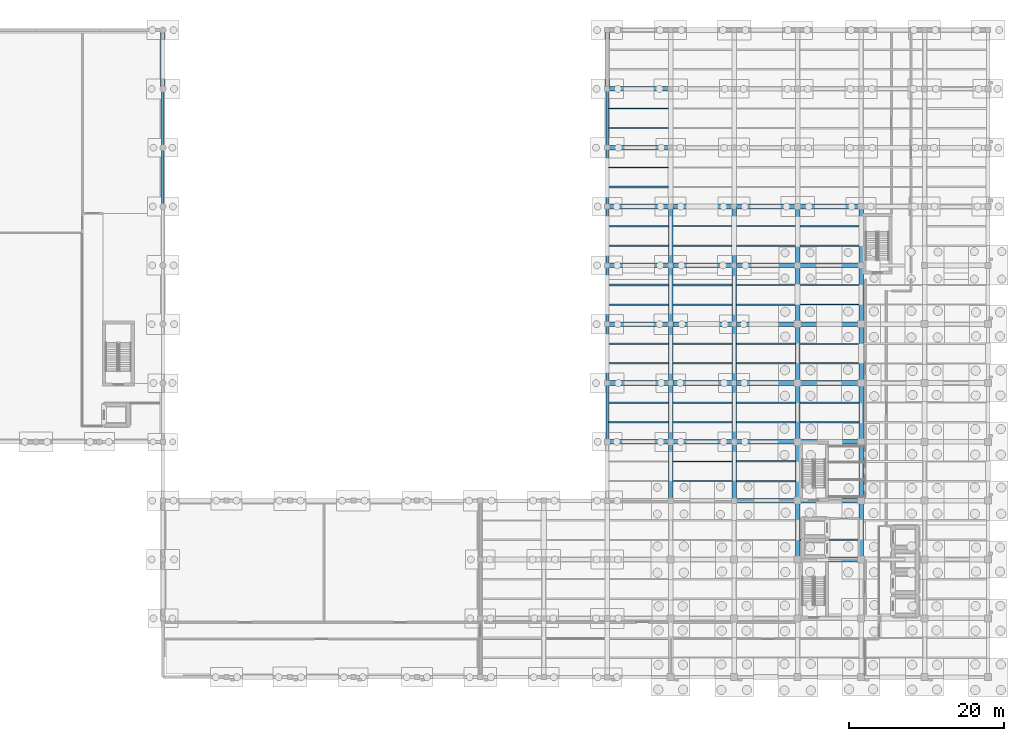
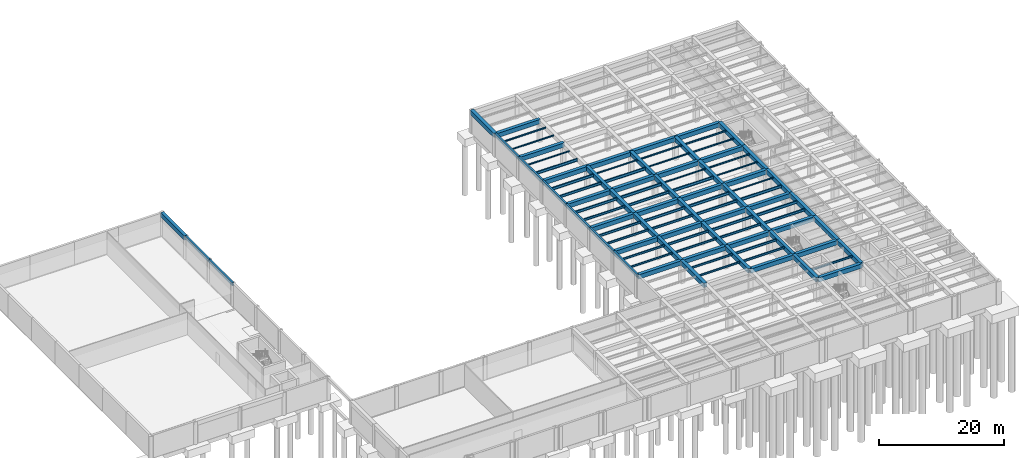
# One storey, part 13 of 29: 98 beams.
"""IFC4 building model written with IfcOpenShell, lengths in metres."""

from ifc_helpers import new_model, si_unit, direction, frame, origin, origin_2d, place, context, subcontext, project, spatial, rectangle, i_section, extrude, material, material_profile, profile_set, type_object, element, save


model = new_model("IFC4")

# Units and contexts
model_context = context("Model", 3, precision=1e-05, world=origin(), true_north=direction((0.0, 1.0)))
body_context = subcontext(model_context, "Body", "Model", "MODEL_VIEW")
ifc_project = project(units=[si_unit("LENGTHUNIT", "METRE"), si_unit("AREAUNIT", "SQUARE_METRE"), si_unit("VOLUMEUNIT", "CUBIC_METRE"), si_unit("PLANEANGLEUNIT", "RADIAN"), si_unit("MASSUNIT", "GRAM", prefix="KILO")], contexts=[model_context])

# Site, building, storey
site_placement = place(None, origin())
site = spatial("IfcSite", under=ifc_project, at=site_placement, CompositionType="ELEMENT")
building_placement = place(site_placement, origin())
building = spatial("IfcBuilding", under=site, at=building_placement, Name="Qandaris Square Conservatory and Botanical Centre", CompositionType="ELEMENT")
storey_placement = place(building_placement, frame((0.0, 0.0, -4.800048828125)))
storey = spatial("IfcBuildingStorey", under=building, at=storey_placement, Name="B1", CompositionType="ELEMENT", Elevation=-4.800048828125)

# Beams
ifc_material_1 = material(Name="Steel S355", Category="steel")
ifc_material_profile_1 = material_profile(ifc_material_1, i_section(OverallWidth=0.18994140625, OverallDepth=0.449951171875, WebThickness=0.009521484375, FlangeThickness=0.0146484375, FilletRadius=0.02099609375, at=origin_2d()), Name="IPE 450")
ifc_profile_set_1 = profile_set([ifc_material_profile_1], Name="Steel S355")
beam_type_1 = type_object("IfcBeamType", Name="Composite Archive Joist IPE 450", PredefinedType="JOIST", material=ifc_profile_set_1)
for number, where, z_axis, x_axis, name in (
    (1, (114.77490234375, 59.666748046875, 4.22509765625), (1.0, 0.0, 0.0), (0.0, 1.0, 0.0), "B1 Composite Joist 0208"),
    (2, (114.77490234375, 64.7333984375, 4.22509765625), (1.0, 0.0, 0.0), (0.0, 1.0, 0.0), "B1 Composite Joist 0209"),
):
    element("IfcBeam", number, at=place(storey_placement, frame(where, z_axis=z_axis, x_axis=x_axis)), inside=storey, type_object=beam_type_1, Name=name, PredefinedType="JOIST", context=body_context, shape_type="SweptSolid", body=[
        extrude(i_section(OverallWidth=0.18994140625, OverallDepth=0.449951171875, WebThickness=0.009521484375, FlangeThickness=0.0146484375, FilletRadius=0.02099609375, at=origin_2d()), origin(), (0.0, 0.0, 1.0), 7.72509765625),
    ])
for number, where, z_axis, x_axis, name in (
    (3, (123.10009765625, 52.066650390625, 4.22509765625), (1.0, 0.0, 0.0), (0.0, 1.0, 0.0), "B1 Composite Joist 0228"),
    (4, (123.10009765625, 57.13330078125, 4.22509765625), (1.0, 0.0, 0.0), (0.0, 1.0, 0.0), "B1 Composite Joist 0229"),
    (5, (131.300048828125, 44.466796875, 4.22509765625), (1.0, 0.0, 0.0), (0.0, 1.0, 0.0), "B1 Composite Joist 0248"),
    (6, (131.300048828125, 49.533203125, 4.22509765625), (1.0, 0.0, 0.0), (0.0, 1.0, 0.0), "B1 Composite Joist 0249"),
):
    element("IfcBeam", number, at=place(storey_placement, frame(where, z_axis=z_axis, x_axis=x_axis)), inside=storey, type_object=beam_type_1, Name=name, PredefinedType="JOIST", context=body_context, shape_type="SweptSolid", body=[
        extrude(i_section(OverallWidth=0.18994140625, OverallDepth=0.449951171875, WebThickness=0.009521484375, FlangeThickness=0.0146484375, FilletRadius=0.02099609375, at=origin_2d()), origin(), (0.0, 0.0, 1.0), 7.599853515625),
    ])
ifc_material_profile_2 = material_profile(ifc_material_1, i_section(OverallWidth=0.199951171875, OverallDepth=0.5, WebThickness=0.01025390625, FlangeThickness=0.01611328125, FilletRadius=0.02099609375, at=origin_2d()), Name="IPE 500")
ifc_profile_set_2 = profile_set([ifc_material_profile_2], Name="Steel S355")
beam_type_2 = type_object("IfcBeamType", Name="Composite Gallery Joist IPE 500", PredefinedType="JOIST", material=ifc_profile_set_2)
for number, where, z_axis, x_axis, name in (
    (7, (114.77490234375, 67.2666015625, 4.199951171875), (1.0, 0.0, 0.0), (0.0, 1.0, 0.0), "B1 Composite Joist 0210"),
    (8, (114.77490234375, 72.333251953125, 4.199951171875), (1.0, 0.0, 0.0), (0.0, 1.0, 0.0), "B1 Composite Joist 0211"),
):
    element("IfcBeam", number, at=place(storey_placement, frame(where, z_axis=z_axis, x_axis=x_axis)), inside=storey, type_object=beam_type_2, Name=name, PredefinedType="JOIST", context=body_context, shape_type="SweptSolid", body=[
        extrude(i_section(OverallWidth=0.199951171875, OverallDepth=0.5, WebThickness=0.01025390625, FlangeThickness=0.01611328125, FilletRadius=0.02099609375, at=origin_2d()), origin(), (0.0, 0.0, 1.0), 7.72509765625),
    ])
for number, where, z_axis, x_axis, name in (
    (9, (123.10009765625, 59.666748046875, 4.199951171875), (1.0, 0.0, 0.0), (0.0, 1.0, 0.0), "B1 Composite Joist 0230"),
    (10, (123.10009765625, 64.7333984375, 4.199951171875), (1.0, 0.0, 0.0), (0.0, 1.0, 0.0), "B1 Composite Joist 0231"),
    (11, (131.300048828125, 52.066650390625, 4.199951171875), (1.0, 0.0, 0.0), (0.0, 1.0, 0.0), "B1 Composite Joist 0250"),
    (12, (131.300048828125, 57.13330078125, 4.199951171875), (1.0, 0.0, 0.0), (0.0, 1.0, 0.0), "B1 Composite Joist 0251"),
):
    element("IfcBeam", number, at=place(storey_placement, frame(where, z_axis=z_axis, x_axis=x_axis)), inside=storey, type_object=beam_type_2, Name=name, PredefinedType="JOIST", context=body_context, shape_type="SweptSolid", body=[
        extrude(i_section(OverallWidth=0.199951171875, OverallDepth=0.5, WebThickness=0.01025390625, FlangeThickness=0.01611328125, FilletRadius=0.02099609375, at=origin_2d()), origin(), (0.0, 0.0, 1.0), 7.599853515625),
    ])
beam_1_placement = place(storey_placement, frame((139.5, 49.533203125, 4.199951171875), z_axis=(1.0, 0.0, 0.0), x_axis=(0.0, 1.0, 0.0)))
element("IfcBeam", 13, at=beam_1_placement, inside=storey, type_object=beam_type_2, Name="B1 Composite Joist 0266", PredefinedType="JOIST", context=body_context, shape_type="SweptSolid", body=[
    extrude(i_section(OverallWidth=0.199951171875, OverallDepth=0.5, WebThickness=0.01025390625, FlangeThickness=0.01611328125, FilletRadius=0.02099609375, at=origin_2d()), origin(), (0.0, 0.0, 1.0), 7.60009765625),
])
ifc_material_profile_3 = material_profile(ifc_material_1, i_section(OverallWidth=0.14990234375, OverallDepth=0.300048828125, WebThickness=0.007080078125, FlangeThickness=0.0107421875, FilletRadius=0.014892578125, at=origin_2d()), Name="IPE 300")
ifc_profile_set_3 = profile_set([ifc_material_profile_3], Name="Steel S355")
beam_type_3 = type_object("IfcBeamType", Name="Composite Lab Joist IPE 300", PredefinedType="JOIST", material=ifc_profile_set_3)
beam_2_placement = place(storey_placement, frame((114.77490234375, 90.066650390625, 4.300048828125), z_axis=(1.0, 0.0, 0.0), x_axis=(0.0, 1.0, 0.0)))
element("IfcBeam", 14, at=beam_2_placement, inside=storey, type_object=beam_type_3, Name="B1 Composite Joist 0216", PredefinedType="JOIST", context=body_context, shape_type="SweptSolid", body=[
    extrude(i_section(OverallWidth=0.14990234375, OverallDepth=0.300048828125, WebThickness=0.007080078125, FlangeThickness=0.0107421875, FilletRadius=0.014892578125, at=origin_2d()), origin(), (0.0, 0.0, 1.0), 7.72509765625),
])
beam_3_placement = place(storey_placement, frame((131.300048828125, 74.86669921875, 4.300048828125), z_axis=(1.0, 0.0, 0.0), x_axis=(0.0, 1.0, 0.0)))
element("IfcBeam", 15, at=beam_3_placement, inside=storey, type_object=beam_type_3, Name="B1 Composite Joist 0256", PredefinedType="JOIST", context=body_context, shape_type="SweptSolid", body=[
    extrude(i_section(OverallWidth=0.14990234375, OverallDepth=0.300048828125, WebThickness=0.007080078125, FlangeThickness=0.0107421875, FilletRadius=0.014892578125, at=origin_2d()), origin(), (0.0, 0.0, 1.0), 7.599853515625),
])
for number, where, z_axis, x_axis, name in (
    (16, (139.5, 67.2666015625, 4.300048828125), (1.0, 0.0, 0.0), (0.0, 1.0, 0.0), "B1 Composite Joist 0271"),
    (17, (139.5, 72.333251953125, 4.300048828125), (1.0, 0.0, 0.0), (0.0, 1.0, 0.0), "B1 Composite Joist 0272"),
):
    element("IfcBeam", number, at=place(storey_placement, frame(where, z_axis=z_axis, x_axis=x_axis)), inside=storey, type_object=beam_type_3, Name=name, PredefinedType="JOIST", context=body_context, shape_type="SweptSolid", body=[
        extrude(i_section(OverallWidth=0.14990234375, OverallDepth=0.300048828125, WebThickness=0.007080078125, FlangeThickness=0.0107421875, FilletRadius=0.014892578125, at=origin_2d()), origin(), (0.0, 0.0, 1.0), 7.60009765625),
    ])
ifc_material_profile_4 = material_profile(ifc_material_1, i_section(OverallWidth=0.159912109375, OverallDepth=0.330078125, WebThickness=0.007568359375, FlangeThickness=0.011474609375, FilletRadius=0.01806640625, at=origin_2d()), Name="IPE 330")
ifc_profile_set_4 = profile_set([ifc_material_profile_4], Name="Steel S355")
beam_type_4 = type_object("IfcBeamType", Name="Composite Lab Joist IPE 330", PredefinedType="JOIST", material=ifc_profile_set_4)
beam_4_placement = place(storey_placement, frame((139.5, 74.86669921875, 4.28515625), z_axis=(1.0, 0.0, 0.0), x_axis=(0.0, 1.0, 0.0)))
element("IfcBeam", 18, at=beam_4_placement, inside=storey, type_object=beam_type_4, Name="B1 Composite Joist 0273", PredefinedType="JOIST", context=body_context, shape_type="SweptSolid", body=[
    extrude(i_section(OverallWidth=0.159912109375, OverallDepth=0.330078125, WebThickness=0.007568359375, FlangeThickness=0.011474609375, FilletRadius=0.01806640625, at=origin_2d()), origin(), (0.0, 0.0, 1.0), 7.60009765625),
])
ifc_material_profile_5 = material_profile(ifc_material_1, i_section(OverallWidth=0.169921875, OverallDepth=0.360107421875, WebThickness=0.008056640625, FlangeThickness=0.0126953125, FilletRadius=0.01806640625, at=origin_2d()), Name="IPE 360")
ifc_profile_set_5 = profile_set([ifc_material_profile_5], Name="Steel S355")
beam_type_5 = type_object("IfcBeamType", Name="Composite Lab Joist IPE 360", PredefinedType="JOIST", material=ifc_profile_set_5)
beam_5_placement = place(storey_placement, frame((114.77490234375, 49.533203125, 4.27001953125), z_axis=(1.0, 0.0, 0.0), x_axis=(0.0, 1.0, 0.0)))
element("IfcBeam", 19, at=beam_5_placement, inside=storey, type_object=beam_type_5, Name="B1 Composite Joist 0205", PredefinedType="JOIST", context=body_context, shape_type="SweptSolid", body=[
    extrude(i_section(OverallWidth=0.169921875, OverallDepth=0.360107421875, WebThickness=0.008056640625, FlangeThickness=0.0126953125, FilletRadius=0.01806640625, at=origin_2d()), origin(), (0.0, 0.0, 1.0), 7.72509765625),
])
beam_6_placement = place(storey_placement, frame((123.10009765625, 41.933349609375, 4.27001953125), z_axis=(1.0, 0.0, 0.0), x_axis=(0.0, 1.0, 0.0)))
element("IfcBeam", 20, at=beam_6_placement, inside=storey, type_object=beam_type_5, Name="B1 Composite Joist 0225", PredefinedType="JOIST", context=body_context, shape_type="SweptSolid", body=[
    extrude(i_section(OverallWidth=0.169921875, OverallDepth=0.360107421875, WebThickness=0.008056640625, FlangeThickness=0.0126953125, FilletRadius=0.01806640625, at=origin_2d()), origin(), (0.0, 0.0, 1.0), 7.599853515625),
])
ifc_material_profile_6 = material_profile(ifc_material_1, i_section(OverallWidth=0.179931640625, OverallDepth=0.39990234375, WebThickness=0.008544921875, FlangeThickness=0.013427734375, FilletRadius=0.02099609375, at=origin_2d()), Name="IPE 400")
ifc_profile_set_6 = profile_set([ifc_material_profile_6], Name="Steel S355")
beam_type_6 = type_object("IfcBeamType", Name="Composite Plinth Joist IPE 400", PredefinedType="JOIST", material=ifc_profile_set_6)
for number, where, z_axis, x_axis, name in (
    (21, (114.77490234375, 52.066650390625, 4.25), (1.0, 0.0, 0.0), (0.0, 1.0, 0.0), "B1 Composite Joist 0206"),
    (22, (114.77490234375, 57.13330078125, 4.25), (1.0, 0.0, 0.0), (0.0, 1.0, 0.0), "B1 Composite Joist 0207"),
):
    element("IfcBeam", number, at=place(storey_placement, frame(where, z_axis=z_axis, x_axis=x_axis)), inside=storey, type_object=beam_type_6, Name=name, PredefinedType="JOIST", context=body_context, shape_type="SweptSolid", body=[
        extrude(i_section(OverallWidth=0.179931640625, OverallDepth=0.39990234375, WebThickness=0.008544921875, FlangeThickness=0.013427734375, FilletRadius=0.02099609375, at=origin_2d()), origin(), (0.0, 0.0, 1.0), 7.72509765625),
    ])
for number, where, z_axis, x_axis, name in (
    (23, (123.10009765625, 44.466796875, 4.25), (1.0, 0.0, 0.0), (0.0, 1.0, 0.0), "B1 Composite Joist 0226"),
    (24, (123.10009765625, 49.533203125, 4.25), (1.0, 0.0, 0.0), (0.0, 1.0, 0.0), "B1 Composite Joist 0227"),
    (25, (131.300048828125, 41.933349609375, 4.25), (1.0, 0.0, 0.0), (0.0, 1.0, 0.0), "B1 Composite Joist 0247"),
):
    element("IfcBeam", number, at=place(storey_placement, frame(where, z_axis=z_axis, x_axis=x_axis)), inside=storey, type_object=beam_type_6, Name=name, PredefinedType="JOIST", context=body_context, shape_type="SweptSolid", body=[
        extrude(i_section(OverallWidth=0.179931640625, OverallDepth=0.39990234375, WebThickness=0.008544921875, FlangeThickness=0.013427734375, FilletRadius=0.02099609375, at=origin_2d()), origin(), (0.0, 0.0, 1.0), 7.599853515625),
    ])
beam_7_placement = place(storey_placement, frame((139.5, 34.333251953125, 4.25), z_axis=(1.0, 0.0, 0.0), x_axis=(0.0, 1.0, 0.0)))
element("IfcBeam", 26, at=beam_7_placement, inside=storey, type_object=beam_type_6, Name="B1 Composite Joist 0265", PredefinedType="JOIST", context=body_context, shape_type="SweptSolid", body=[
    extrude(i_section(OverallWidth=0.179931640625, OverallDepth=0.39990234375, WebThickness=0.008544921875, FlangeThickness=0.013427734375, FilletRadius=0.02099609375, at=origin_2d()), origin(), (0.0, 0.0, 1.0), 7.60009765625),
])
ifc_material_profile_7 = material_profile(ifc_material_1, i_section(OverallWidth=0.2099609375, OverallDepth=0.550048828125, WebThickness=0.010986328125, FlangeThickness=0.01708984375, FilletRadius=0.02392578125, at=origin_2d()), Name="IPE 550")
ifc_profile_set_7 = profile_set([ifc_material_profile_7], Name="Steel S355")
beam_type_7 = type_object("IfcBeamType", Name="Long-Span Foyer Joist IPE 550", PredefinedType="JOIST", material=ifc_profile_set_7)
for number, where, z_axis, x_axis, name in (
    (27, (114.77490234375, 74.86669921875, 4.175048828125), (1.0, 0.0, 0.0), (0.0, 1.0, 0.0), "B1 Composite Joist 0212"),
    (28, (114.77490234375, 79.933349609375, 4.175048828125), (1.0, 0.0, 0.0), (0.0, 1.0, 0.0), "B1 Composite Joist 0213"),
):
    element("IfcBeam", number, at=place(storey_placement, frame(where, z_axis=z_axis, x_axis=x_axis)), inside=storey, type_object=beam_type_7, Name=name, PredefinedType="JOIST", context=body_context, shape_type="SweptSolid", body=[
        extrude(i_section(OverallWidth=0.2099609375, OverallDepth=0.550048828125, WebThickness=0.010986328125, FlangeThickness=0.01708984375, FilletRadius=0.02392578125, at=origin_2d()), origin(), (0.0, 0.0, 1.0), 7.72509765625),
    ])
for number, where, z_axis, x_axis, name in (
    (29, (123.10009765625, 67.2666015625, 4.175048828125), (1.0, 0.0, 0.0), (0.0, 1.0, 0.0), "B1 Composite Joist 0232"),
    (30, (123.10009765625, 72.333251953125, 4.175048828125), (1.0, 0.0, 0.0), (0.0, 1.0, 0.0), "B1 Composite Joist 0233"),
    (31, (131.300048828125, 59.666748046875, 4.175048828125), (1.0, 0.0, 0.0), (0.0, 1.0, 0.0), "B1 Composite Joist 0252"),
    (32, (131.300048828125, 64.7333984375, 4.175048828125), (1.0, 0.0, 0.0), (0.0, 1.0, 0.0), "B1 Composite Joist 0253"),
):
    element("IfcBeam", number, at=place(storey_placement, frame(where, z_axis=z_axis, x_axis=x_axis)), inside=storey, type_object=beam_type_7, Name=name, PredefinedType="JOIST", context=body_context, shape_type="SweptSolid", body=[
        extrude(i_section(OverallWidth=0.2099609375, OverallDepth=0.550048828125, WebThickness=0.010986328125, FlangeThickness=0.01708984375, FilletRadius=0.02392578125, at=origin_2d()), origin(), (0.0, 0.0, 1.0), 7.599853515625),
    ])
for number, where, z_axis, x_axis, name in (
    (33, (139.5, 52.066650390625, 4.175048828125), (1.0, 0.0, 0.0), (0.0, 1.0, 0.0), "B1 Composite Joist 0267"),
    (34, (139.5, 57.13330078125, 4.175048828125), (1.0, 0.0, 0.0), (0.0, 1.0, 0.0), "B1 Composite Joist 0268"),
):
    element("IfcBeam", number, at=place(storey_placement, frame(where, z_axis=z_axis, x_axis=x_axis)), inside=storey, type_object=beam_type_7, Name=name, PredefinedType="JOIST", context=body_context, shape_type="SweptSolid", body=[
        extrude(i_section(OverallWidth=0.2099609375, OverallDepth=0.550048828125, WebThickness=0.010986328125, FlangeThickness=0.01708984375, FilletRadius=0.02392578125, at=origin_2d()), origin(), (0.0, 0.0, 1.0), 7.60009765625),
    ])
ifc_material_2 = material(Name="Concrete C50/60", Category="concrete")
ifc_material_profile_8 = material_profile(ifc_material_2, rectangle(XDim=0.35009765625, YDim=0.60009765625, at=origin_2d()), Name="RC-SP 350x600")
ifc_profile_set_8 = profile_set([ifc_material_profile_8], Name="Concrete C50/60")
beam_type_8 = type_object("IfcBeamType", Name="RC Edge Spandrel Beam 350x600", PredefinedType="SPANDREL", material=ifc_profile_set_8)
for number, where, z_axis, x_axis, name in (
    (35, (57.199951171875, 77.39990234375, 4.16015625), (0.0, 1.0, 0.0), (-1.0, 0.0, 0.0), "B1 Frame Beam 0099"),
    (36, (57.199951171875, 85.0, 4.16015625), (0.0, 1.0, 0.0), (-1.0, 0.0, 0.0), "B1 Frame Beam 0100"),
    (37, (114.60009765625, 47.0, 4.16015625), (0.0, 1.0, 0.0), (-1.0, 0.0, 0.0), "B1 Frame Beam 0112"),
):
    element("IfcBeam", number, at=place(storey_placement, frame(where, z_axis=z_axis, x_axis=x_axis)), inside=storey, type_object=beam_type_8, Name=name, PredefinedType="SPANDREL", context=body_context, shape_type="SweptSolid", body=[
        extrude(rectangle(XDim=0.35009765625, YDim=0.60009765625, at=origin_2d()), origin(), (0.0, 0.0, 1.0), 7.60009765625),
    ])
beam_8_placement = place(storey_placement, frame((114.60009765625, 54.60009765625, 4.16015625), z_axis=(0.0, 1.0, 0.0), x_axis=(-1.0, 0.0, 0.0)))
element("IfcBeam", 38, at=beam_8_placement, inside=storey, type_object=beam_type_8, Name="B1 Frame Beam 0113", PredefinedType="SPANDREL", context=body_context, shape_type="SweptSolid", body=[
    extrude(rectangle(XDim=0.35009765625, YDim=0.60009765625, at=origin_2d()), origin(), (0.0, 0.0, 1.0), 7.599853515625),
])
beam_9_placement = place(storey_placement, frame((114.60009765625, 62.199951171875, 4.16015625), z_axis=(0.0, 1.0, 0.0), x_axis=(-1.0, 0.0, 0.0)))
element("IfcBeam", 39, at=beam_9_placement, inside=storey, type_object=beam_type_8, Name="B1 Frame Beam 0114", PredefinedType="SPANDREL", context=body_context, shape_type="SweptSolid", body=[
    extrude(rectangle(XDim=0.35009765625, YDim=0.60009765625, at=origin_2d()), origin(), (0.0, 0.0, 1.0), 7.60009765625),
])
beam_10_placement = place(storey_placement, frame((114.60009765625, 69.800048828125, 4.16015625), z_axis=(0.0, 1.0, 0.0), x_axis=(-1.0, 0.0, 0.0)))
element("IfcBeam", 40, at=beam_10_placement, inside=storey, type_object=beam_type_8, Name="B1 Frame Beam 0115", PredefinedType="SPANDREL", context=body_context, shape_type="SweptSolid", body=[
    extrude(rectangle(XDim=0.35009765625, YDim=0.60009765625, at=origin_2d()), origin(), (0.0, 0.0, 1.0), 7.599853515625),
])
for number, where, z_axis, x_axis, name in (
    (41, (114.60009765625, 77.39990234375, 4.16015625), (0.0, 1.0, 0.0), (-1.0, 0.0, 0.0), "B1 Frame Beam 0116"),
    (42, (114.60009765625, 85.0, 4.16015625), (0.0, 1.0, 0.0), (-1.0, 0.0, 0.0), "B1 Frame Beam 0117"),
):
    element("IfcBeam", number, at=place(storey_placement, frame(where, z_axis=z_axis, x_axis=x_axis)), inside=storey, type_object=beam_type_8, Name=name, PredefinedType="SPANDREL", context=body_context, shape_type="SweptSolid", body=[
        extrude(rectangle(XDim=0.35009765625, YDim=0.60009765625, at=origin_2d()), origin(), (0.0, 0.0, 1.0), 7.60009765625),
    ])
ifc_material_profile_9 = material_profile(ifc_material_2, rectangle(XDim=0.60009765625, YDim=0.85009765625, at=origin_2d()), Name="RC-BM 600x850")
ifc_profile_set_9 = profile_set([ifc_material_profile_9], Name="Concrete C50/60")
beam_type_9 = type_object("IfcBeamType", Name="RC Heavy Archive Girder 600x850", PredefinedType="BEAM", material=ifc_profile_set_9)
for number, where, z_axis, x_axis, name in (
    (43, (139.199951171875, 31.800048828125, 4.03515625), (1.0, 0.0, 0.0), (0.0, 1.0, 0.0), "B1 Frame Beam 0026"),
    (44, (131.0, 39.39990234375, 4.03515625), (1.0, 0.0, 0.0), (0.0, 1.0, 0.0), "B1 Frame Beam 0038"),
    (45, (139.199951171875, 39.39990234375, 4.03515625), (1.0, 0.0, 0.0), (0.0, 1.0, 0.0), "B1 Frame Beam 0039"),
    (46, (114.60009765625, 47.0, 4.03515625), (1.0, 0.0, 0.0), (0.0, 1.0, 0.0), "B1 Frame Beam 0046"),
    (47, (122.800048828125, 47.0, 4.03515625), (1.0, 0.0, 0.0), (0.0, 1.0, 0.0), "B1 Frame Beam 0047"),
    (48, (131.0, 47.0, 4.03515625), (1.0, 0.0, 0.0), (0.0, 1.0, 0.0), "B1 Frame Beam 0048"),
    (49, (139.199951171875, 47.0, 4.03515625), (1.0, 0.0, 0.0), (0.0, 1.0, 0.0), "B1 Frame Beam 0049"),
    (50, (114.60009765625, 54.60009765625, 4.03515625), (1.0, 0.0, 0.0), (0.0, 1.0, 0.0), "B1 Frame Beam 0052"),
    (51, (122.800048828125, 54.60009765625, 4.03515625), (1.0, 0.0, 0.0), (0.0, 1.0, 0.0), "B1 Frame Beam 0053"),
    (52, (131.0, 54.60009765625, 4.03515625), (1.0, 0.0, 0.0), (0.0, 1.0, 0.0), "B1 Frame Beam 0054"),
    (53, (139.199951171875, 54.60009765625, 4.03515625), (1.0, 0.0, 0.0), (0.0, 1.0, 0.0), "B1 Frame Beam 0055"),
    (54, (114.60009765625, 62.199951171875, 4.03515625), (1.0, 0.0, 0.0), (0.0, 1.0, 0.0), "B1 Frame Beam 0058"),
    (55, (122.800048828125, 62.199951171875, 4.03515625), (1.0, 0.0, 0.0), (0.0, 1.0, 0.0), "B1 Frame Beam 0059"),
    (56, (131.0, 62.199951171875, 4.03515625), (1.0, 0.0, 0.0), (0.0, 1.0, 0.0), "B1 Frame Beam 0060"),
    (57, (139.199951171875, 62.199951171875, 4.03515625), (1.0, 0.0, 0.0), (0.0, 1.0, 0.0), "B1 Frame Beam 0061"),
    (58, (114.60009765625, 69.800048828125, 4.03515625), (1.0, 0.0, 0.0), (0.0, 1.0, 0.0), "B1 Frame Beam 0064"),
    (59, (122.800048828125, 69.800048828125, 4.03515625), (1.0, 0.0, 0.0), (0.0, 1.0, 0.0), "B1 Frame Beam 0065"),
    (60, (131.0, 69.800048828125, 4.03515625), (1.0, 0.0, 0.0), (0.0, 1.0, 0.0), "B1 Frame Beam 0066"),
    (61, (139.199951171875, 69.800048828125, 4.03515625), (1.0, 0.0, 0.0), (0.0, 1.0, 0.0), "B1 Frame Beam 0067"),
    (62, (114.60009765625, 77.39990234375, 4.03515625), (1.0, 0.0, 0.0), (0.0, 1.0, 0.0), "B1 Frame Beam 0069"),
    (63, (122.800048828125, 77.39990234375, 4.03515625), (1.0, 0.0, 0.0), (0.0, 1.0, 0.0), "B1 Frame Beam 0070"),
    (64, (131.0, 77.39990234375, 4.03515625), (1.0, 0.0, 0.0), (0.0, 1.0, 0.0), "B1 Frame Beam 0071"),
    (65, (139.199951171875, 77.39990234375, 4.03515625), (1.0, 0.0, 0.0), (0.0, 1.0, 0.0), "B1 Frame Beam 0072"),
    (66, (114.60009765625, 85.0, 4.03515625), (1.0, 0.0, 0.0), (0.0, 1.0, 0.0), "B1 Frame Beam 0075"),
    (67, (114.60009765625, 92.60009765625, 4.03515625), (1.0, 0.0, 0.0), (0.0, 1.0, 0.0), "B1 Frame Beam 0081"),
):
    element("IfcBeam", number, at=place(storey_placement, frame(where, z_axis=z_axis, x_axis=x_axis)), inside=storey, type_object=beam_type_9, Name=name, PredefinedType="BEAM", context=body_context, shape_type="SweptSolid", body=[
        extrude(rectangle(XDim=0.60009765625, YDim=0.85009765625, at=origin_2d()), origin(), (0.0, 0.0, 1.0), 8.199951171875),
    ])
for number, where, z_axis, x_axis, name in (
    (68, (57.199951171875, 92.60009765625, 4.03515625), (0.0, 1.0, 0.0), (-1.0, 0.0, 0.0), "B1 Frame Beam 0101"),
    (69, (114.60009765625, 92.60009765625, 4.03515625), (0.0, 1.0, 0.0), (-1.0, 0.0, 0.0), "B1 Frame Beam 0118"),
):
    element("IfcBeam", number, at=place(storey_placement, frame(where, z_axis=z_axis, x_axis=x_axis)), inside=storey, type_object=beam_type_9, Name=name, PredefinedType="BEAM", context=body_context, shape_type="SweptSolid", body=[
        extrude(rectangle(XDim=0.60009765625, YDim=0.85009765625, at=origin_2d()), origin(), (0.0, 0.0, 1.0), 7.599853515625),
    ])
for number, where, z_axis, x_axis, name in (
    (70, (122.800048828125, 39.39990234375, 4.03515625), (0.0, 1.0, 0.0), (-1.0, 0.0, 0.0), "B1 Frame Beam 0122"),
    (71, (122.800048828125, 47.0, 4.03515625), (0.0, 1.0, 0.0), (-1.0, 0.0, 0.0), "B1 Frame Beam 0123"),
):
    element("IfcBeam", number, at=place(storey_placement, frame(where, z_axis=z_axis, x_axis=x_axis)), inside=storey, type_object=beam_type_9, Name=name, PredefinedType="BEAM", context=body_context, shape_type="SweptSolid", body=[
        extrude(rectangle(XDim=0.60009765625, YDim=0.85009765625, at=origin_2d()), origin(), (0.0, 0.0, 1.0), 7.60009765625),
    ])
beam_11_placement = place(storey_placement, frame((122.800048828125, 54.60009765625, 4.03515625), z_axis=(0.0, 1.0, 0.0), x_axis=(-1.0, 0.0, 0.0)))
element("IfcBeam", 72, at=beam_11_placement, inside=storey, type_object=beam_type_9, Name="B1 Frame Beam 0124", PredefinedType="BEAM", context=body_context, shape_type="SweptSolid", body=[
    extrude(rectangle(XDim=0.60009765625, YDim=0.85009765625, at=origin_2d()), origin(), (0.0, 0.0, 1.0), 7.599853515625),
])
beam_12_placement = place(storey_placement, frame((122.800048828125, 62.199951171875, 4.03515625), z_axis=(0.0, 1.0, 0.0), x_axis=(-1.0, 0.0, 0.0)))
element("IfcBeam", 73, at=beam_12_placement, inside=storey, type_object=beam_type_9, Name="B1 Frame Beam 0125", PredefinedType="BEAM", context=body_context, shape_type="SweptSolid", body=[
    extrude(rectangle(XDim=0.60009765625, YDim=0.85009765625, at=origin_2d()), origin(), (0.0, 0.0, 1.0), 7.60009765625),
])
beam_13_placement = place(storey_placement, frame((122.800048828125, 69.800048828125, 4.03515625), z_axis=(0.0, 1.0, 0.0), x_axis=(-1.0, 0.0, 0.0)))
element("IfcBeam", 74, at=beam_13_placement, inside=storey, type_object=beam_type_9, Name="B1 Frame Beam 0126", PredefinedType="BEAM", context=body_context, shape_type="SweptSolid", body=[
    extrude(rectangle(XDim=0.60009765625, YDim=0.85009765625, at=origin_2d()), origin(), (0.0, 0.0, 1.0), 7.599853515625),
])
for number, where, z_axis, x_axis, name in (
    (75, (131.0, 39.39990234375, 4.03515625), (0.0, 1.0, 0.0), (-1.0, 0.0, 0.0), "B1 Frame Beam 0133"),
    (76, (131.0, 47.0, 4.03515625), (0.0, 1.0, 0.0), (-1.0, 0.0, 0.0), "B1 Frame Beam 0134"),
):
    element("IfcBeam", number, at=place(storey_placement, frame(where, z_axis=z_axis, x_axis=x_axis)), inside=storey, type_object=beam_type_9, Name=name, PredefinedType="BEAM", context=body_context, shape_type="SweptSolid", body=[
        extrude(rectangle(XDim=0.60009765625, YDim=0.85009765625, at=origin_2d()), origin(), (0.0, 0.0, 1.0), 7.60009765625),
    ])
beam_14_placement = place(storey_placement, frame((131.0, 54.60009765625, 4.03515625), z_axis=(0.0, 1.0, 0.0), x_axis=(-1.0, 0.0, 0.0)))
element("IfcBeam", 77, at=beam_14_placement, inside=storey, type_object=beam_type_9, Name="B1 Frame Beam 0135", PredefinedType="BEAM", context=body_context, shape_type="SweptSolid", body=[
    extrude(rectangle(XDim=0.60009765625, YDim=0.85009765625, at=origin_2d()), origin(), (0.0, 0.0, 1.0), 7.599853515625),
])
beam_15_placement = place(storey_placement, frame((131.0, 62.199951171875, 4.03515625), z_axis=(0.0, 1.0, 0.0), x_axis=(-1.0, 0.0, 0.0)))
element("IfcBeam", 78, at=beam_15_placement, inside=storey, type_object=beam_type_9, Name="B1 Frame Beam 0136", PredefinedType="BEAM", context=body_context, shape_type="SweptSolid", body=[
    extrude(rectangle(XDim=0.60009765625, YDim=0.85009765625, at=origin_2d()), origin(), (0.0, 0.0, 1.0), 7.60009765625),
])
for number, where, z_axis, x_axis, name in (
    (79, (131.0, 69.800048828125, 4.03515625), (0.0, 1.0, 0.0), (-1.0, 0.0, 0.0), "B1 Frame Beam 0137"),
    (80, (139.199951171875, 31.800048828125, 4.03515625), (0.0, 1.0, 0.0), (-1.0, 0.0, 0.0), "B1 Frame Beam 0143"),
):
    element("IfcBeam", number, at=place(storey_placement, frame(where, z_axis=z_axis, x_axis=x_axis)), inside=storey, type_object=beam_type_9, Name=name, PredefinedType="BEAM", context=body_context, shape_type="SweptSolid", body=[
        extrude(rectangle(XDim=0.60009765625, YDim=0.85009765625, at=origin_2d()), origin(), (0.0, 0.0, 1.0), 7.599853515625),
    ])
for number, where, z_axis, x_axis, name in (
    (81, (139.199951171875, 39.39990234375, 4.03515625), (0.0, 1.0, 0.0), (-1.0, 0.0, 0.0), "B1 Frame Beam 0144"),
    (82, (139.199951171875, 47.0, 4.03515625), (0.0, 1.0, 0.0), (-1.0, 0.0, 0.0), "B1 Frame Beam 0145"),
):
    element("IfcBeam", number, at=place(storey_placement, frame(where, z_axis=z_axis, x_axis=x_axis)), inside=storey, type_object=beam_type_9, Name=name, PredefinedType="BEAM", context=body_context, shape_type="SweptSolid", body=[
        extrude(rectangle(XDim=0.60009765625, YDim=0.85009765625, at=origin_2d()), origin(), (0.0, 0.0, 1.0), 7.60009765625),
    ])
beam_16_placement = place(storey_placement, frame((139.199951171875, 54.60009765625, 4.03515625), z_axis=(0.0, 1.0, 0.0), x_axis=(-1.0, 0.0, 0.0)))
element("IfcBeam", 83, at=beam_16_placement, inside=storey, type_object=beam_type_9, Name="B1 Frame Beam 0146", PredefinedType="BEAM", context=body_context, shape_type="SweptSolid", body=[
    extrude(rectangle(XDim=0.60009765625, YDim=0.85009765625, at=origin_2d()), origin(), (0.0, 0.0, 1.0), 7.599853515625),
])
beam_17_placement = place(storey_placement, frame((139.199951171875, 62.199951171875, 4.03515625), z_axis=(0.0, 1.0, 0.0), x_axis=(-1.0, 0.0, 0.0)))
element("IfcBeam", 84, at=beam_17_placement, inside=storey, type_object=beam_type_9, Name="B1 Frame Beam 0147", PredefinedType="BEAM", context=body_context, shape_type="SweptSolid", body=[
    extrude(rectangle(XDim=0.60009765625, YDim=0.85009765625, at=origin_2d()), origin(), (0.0, 0.0, 1.0), 7.60009765625),
])
for number, where, z_axis, x_axis, name in (
    (85, (139.199951171875, 69.800048828125, 4.03515625), (0.0, 1.0, 0.0), (-1.0, 0.0, 0.0), "B1 Frame Beam 0148"),
    (86, (147.39990234375, 31.800048828125, 4.03515625), (0.0, 1.0, 0.0), (-1.0, 0.0, 0.0), "B1 Frame Beam 0154"),
):
    element("IfcBeam", number, at=place(storey_placement, frame(where, z_axis=z_axis, x_axis=x_axis)), inside=storey, type_object=beam_type_9, Name=name, PredefinedType="BEAM", context=body_context, shape_type="SweptSolid", body=[
        extrude(rectangle(XDim=0.60009765625, YDim=0.85009765625, at=origin_2d()), origin(), (0.0, 0.0, 1.0), 7.599853515625),
    ])
for number, where, z_axis, x_axis, name in (
    (87, (147.39990234375, 39.39990234375, 4.03515625), (0.0, 1.0, 0.0), (-1.0, 0.0, 0.0), "B1 Frame Beam 0155"),
    (88, (147.39990234375, 47.0, 4.03515625), (0.0, 1.0, 0.0), (-1.0, 0.0, 0.0), "B1 Frame Beam 0156"),
):
    element("IfcBeam", number, at=place(storey_placement, frame(where, z_axis=z_axis, x_axis=x_axis)), inside=storey, type_object=beam_type_9, Name=name, PredefinedType="BEAM", context=body_context, shape_type="SweptSolid", body=[
        extrude(rectangle(XDim=0.60009765625, YDim=0.85009765625, at=origin_2d()), origin(), (0.0, 0.0, 1.0), 7.60009765625),
    ])
beam_18_placement = place(storey_placement, frame((147.39990234375, 54.60009765625, 4.03515625), z_axis=(0.0, 1.0, 0.0), x_axis=(-1.0, 0.0, 0.0)))
element("IfcBeam", 89, at=beam_18_placement, inside=storey, type_object=beam_type_9, Name="B1 Frame Beam 0157", PredefinedType="BEAM", context=body_context, shape_type="SweptSolid", body=[
    extrude(rectangle(XDim=0.60009765625, YDim=0.85009765625, at=origin_2d()), origin(), (0.0, 0.0, 1.0), 7.599853515625),
])
beam_19_placement = place(storey_placement, frame((147.39990234375, 62.199951171875, 4.03515625), z_axis=(0.0, 1.0, 0.0), x_axis=(-1.0, 0.0, 0.0)))
element("IfcBeam", 90, at=beam_19_placement, inside=storey, type_object=beam_type_9, Name="B1 Frame Beam 0158", PredefinedType="BEAM", context=body_context, shape_type="SweptSolid", body=[
    extrude(rectangle(XDim=0.60009765625, YDim=0.85009765625, at=origin_2d()), origin(), (0.0, 0.0, 1.0), 7.60009765625),
])
beam_20_placement = place(storey_placement, frame((147.39990234375, 69.800048828125, 4.03515625), z_axis=(0.0, 1.0, 0.0), x_axis=(-1.0, 0.0, 0.0)))
element("IfcBeam", 91, at=beam_20_placement, inside=storey, type_object=beam_type_9, Name="B1 Frame Beam 0159", PredefinedType="BEAM", context=body_context, shape_type="SweptSolid", body=[
    extrude(rectangle(XDim=0.60009765625, YDim=0.85009765625, at=origin_2d()), origin(), (0.0, 0.0, 1.0), 7.599853515625),
])
ifc_material_profile_10 = material_profile(ifc_material_1, i_section(OverallWidth=0.135009765625, OverallDepth=0.27001953125, WebThickness=0.006591796875, FlangeThickness=0.01025390625, FilletRadius=0.014892578125, at=origin_2d()), Name="IPE 270")
ifc_profile_set_10 = profile_set([ifc_material_profile_10], Name="Steel S355")
beam_type_10 = type_object("IfcBeamType", Name="Steel Floor Joist IPE 270", PredefinedType="JOIST", material=ifc_profile_set_10)
for number, where, z_axis, x_axis, name in (
    (92, (114.77490234375, 82.466796875, 4.31494140625), (1.0, 0.0, 0.0), (0.0, 1.0, 0.0), "B1 Composite Joist 0214"),
    (93, (114.77490234375, 87.533203125, 4.31494140625), (1.0, 0.0, 0.0), (0.0, 1.0, 0.0), "B1 Composite Joist 0215"),
):
    element("IfcBeam", number, at=place(storey_placement, frame(where, z_axis=z_axis, x_axis=x_axis)), inside=storey, type_object=beam_type_10, Name=name, PredefinedType="JOIST", context=body_context, shape_type="SweptSolid", body=[
        extrude(i_section(OverallWidth=0.135009765625, OverallDepth=0.27001953125, WebThickness=0.006591796875, FlangeThickness=0.01025390625, FilletRadius=0.014892578125, at=origin_2d()), origin(), (0.0, 0.0, 1.0), 7.72509765625),
    ])
for number, where, z_axis, x_axis, name in (
    (94, (123.10009765625, 74.86669921875, 4.31494140625), (1.0, 0.0, 0.0), (0.0, 1.0, 0.0), "B1 Composite Joist 0234"),
    (95, (131.300048828125, 67.2666015625, 4.31494140625), (1.0, 0.0, 0.0), (0.0, 1.0, 0.0), "B1 Composite Joist 0254"),
    (96, (131.300048828125, 72.333251953125, 4.31494140625), (1.0, 0.0, 0.0), (0.0, 1.0, 0.0), "B1 Composite Joist 0255"),
):
    element("IfcBeam", number, at=place(storey_placement, frame(where, z_axis=z_axis, x_axis=x_axis)), inside=storey, type_object=beam_type_10, Name=name, PredefinedType="JOIST", context=body_context, shape_type="SweptSolid", body=[
        extrude(i_section(OverallWidth=0.135009765625, OverallDepth=0.27001953125, WebThickness=0.006591796875, FlangeThickness=0.01025390625, FilletRadius=0.014892578125, at=origin_2d()), origin(), (0.0, 0.0, 1.0), 7.599853515625),
    ])
for number, where, z_axis, x_axis, name in (
    (97, (139.5, 59.666748046875, 4.31494140625), (1.0, 0.0, 0.0), (0.0, 1.0, 0.0), "B1 Composite Joist 0269"),
    (98, (139.5, 64.7333984375, 4.31494140625), (1.0, 0.0, 0.0), (0.0, 1.0, 0.0), "B1 Composite Joist 0270"),
):
    element("IfcBeam", number, at=place(storey_placement, frame(where, z_axis=z_axis, x_axis=x_axis)), inside=storey, type_object=beam_type_10, Name=name, PredefinedType="JOIST", context=body_context, shape_type="SweptSolid", body=[
        extrude(i_section(OverallWidth=0.135009765625, OverallDepth=0.27001953125, WebThickness=0.006591796875, FlangeThickness=0.01025390625, FilletRadius=0.014892578125, at=origin_2d()), origin(), (0.0, 0.0, 1.0), 7.60009765625),
    ])

save(model, "model.ifc")
